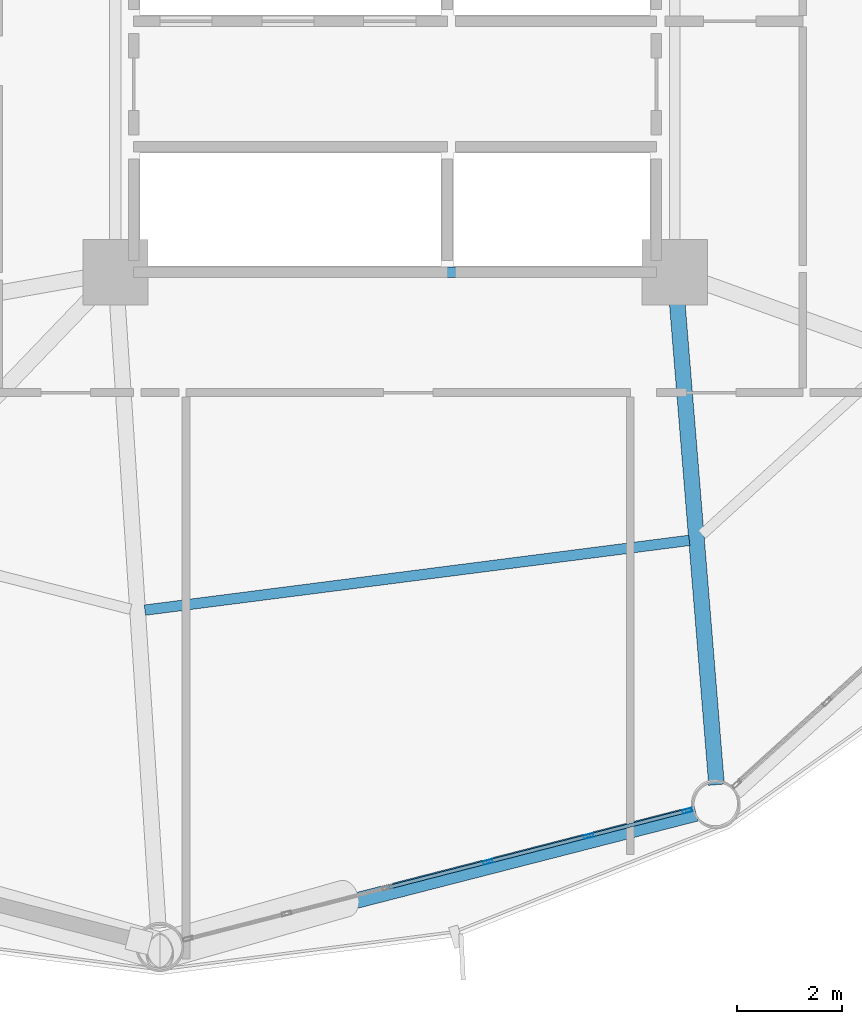
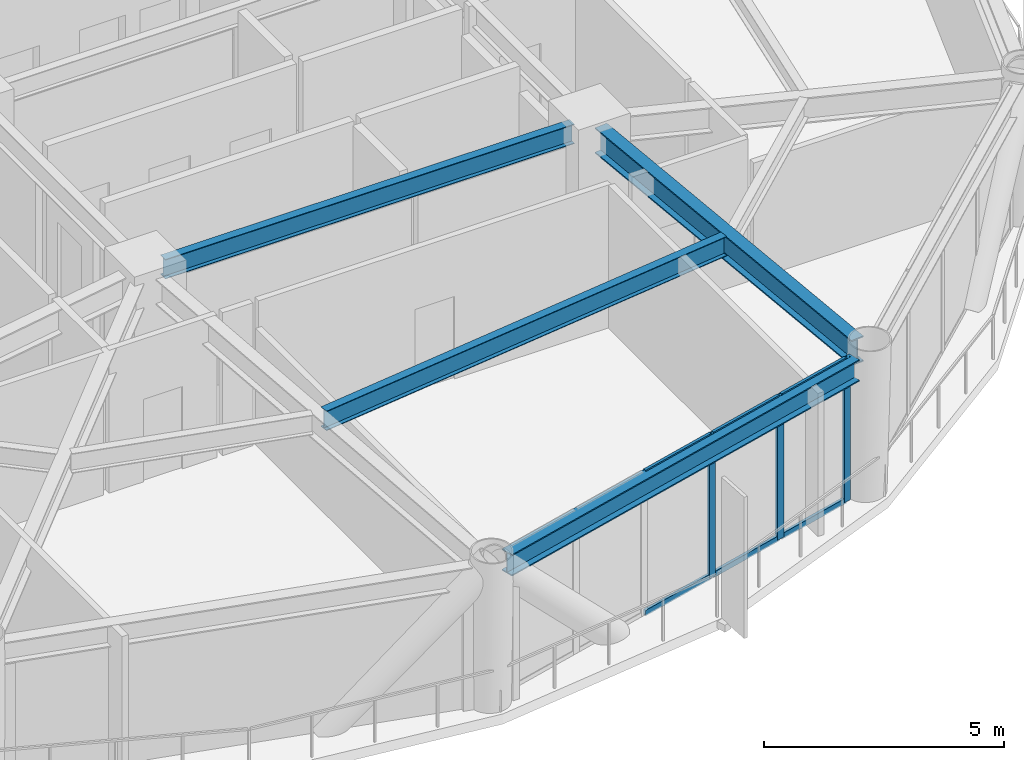
# One storey, part 7 of 25: 9 members, 4 beams, 1 element without a shape of its own.
"""IFC4 building model written with IfcOpenShell, lengths in metres."""

from ifc_helpers import new_model, si_unit, direction, frame, origin, origin_2d, place, context, subcontext, project, spatial, hollow_rectangle, i_section, extrude, material, layer, layer_set, material_profile, profile_set, type_object, element, aggregate, save


model = new_model("IFC4")

# Units and contexts
model_context = context("Model", 3, precision=1e-05, world=origin(), true_north=direction((0.0, 1.0)))
body_context = subcontext(model_context, "Body", "Model", "MODEL_VIEW")
ifc_project = project(units=[si_unit("LENGTHUNIT", "METRE"), si_unit("AREAUNIT", "SQUARE_METRE"), si_unit("VOLUMEUNIT", "CUBIC_METRE"), si_unit("PLANEANGLEUNIT", "RADIAN"), si_unit("MASSUNIT", "GRAM", prefix="KILO")], contexts=[model_context])

# Site, building, storey
site_placement = place(None, origin())
site = spatial("IfcSite", under=ifc_project, at=site_placement, CompositionType="ELEMENT")
building_placement = place(site_placement, origin())
building = spatial("IfcBuilding", under=site, at=building_placement, Name="Varnakorn Sky Granary", CompositionType="ELEMENT")
storey_placement = place(building_placement, frame((0.0, 0.0, 58.800048828125)))
storey = spatial("IfcBuildingStorey", under=building, at=storey_placement, Name="L14", CompositionType="ELEMENT", Elevation=58.800048828125)

# Beams
ifc_material_1 = material(Name="Steel S355JR", Category="steel")
ifc_material_profile_1 = material_profile(ifc_material_1, i_section(OverallWidth=0.300048828125, OverallDepth=0.64990234375, WebThickness=0.01611328125, FlangeThickness=0.031005859375, at=origin_2d()), Name="HE 650 B")
ifc_profile_set_1 = profile_set([ifc_material_profile_1], Name="Steel S355JR")
beam_type_1 = type_object("IfcBeamType", Name="BM-RAD-Z1", PredefinedType="BEAM", material=ifc_profile_set_1)
beam_1_placement = place(storey_placement, frame((8.384033203125, -7.0185546875, 3.31494140625), z_axis=(0.081322054925, -0.996687876611, 0.0), x_axis=(0.996687876611, 0.081322054925, 0.0)))
element("IfcBeam", 1, at=beam_1_placement, inside=storey, type_object=beam_type_1, Name="Radial Floor Girder RG11 L14", PredefinedType="BEAM", context=body_context, shape_type="SweptSolid", body=[
    extrude(i_section(OverallWidth=0.300048828125, OverallDepth=0.64990234375, WebThickness=0.01611328125, FlangeThickness=0.031005859375, at=origin_2d()), origin(), (0.0, 0.0, 1.0), 9.414794921875),
])
ifc_material_profile_2 = material_profile(ifc_material_1, i_section(OverallWidth=0.199951171875, OverallDepth=0.5, WebThickness=0.01025390625, FlangeThickness=0.01611328125, at=origin_2d()), Name="IPE 500")
ifc_profile_set_2 = profile_set([ifc_material_profile_2], Name="Steel S355JR")
beam_type_2 = type_object("IfcBeamType", Name="BM-SEC-Z1", PredefinedType="BEAM", material=ifc_profile_set_2)
beam_2_placement = place(storey_placement, frame((-1.786865234375, -13.062744140625, 3.389892578125), z_axis=(0.991887829843, 0.127116218518, 0.0), x_axis=(-0.127116218518, 0.991887829843, 0.0)))
element("IfcBeam", 2, at=beam_2_placement, inside=storey, type_object=beam_type_2, Name="Secondary Floor Chord Beam MSB10 L14", PredefinedType="BEAM", context=body_context, shape_type="SweptSolid", body=[
    extrude(i_section(OverallWidth=0.199951171875, OverallDepth=0.5, WebThickness=0.01025390625, FlangeThickness=0.01611328125, at=origin_2d()), origin(), (0.0, 0.0, 1.0), 10.5),
])
beam_3_placement = place(storey_placement, frame((-1.929931640625, -6.60009765625, 3.389892578125), z_axis=(1.0, 0.0, 0.0), x_axis=(0.0, 1.0, 0.0)))
element("IfcBeam", 3, at=beam_3_placement, inside=storey, type_object=beam_type_2, Name="Core Spine Framing Beam 6 L14", PredefinedType="BEAM", context=body_context, shape_type="SweptSolid", body=[
    extrude(i_section(OverallWidth=0.199951171875, OverallDepth=0.5, WebThickness=0.01025390625, FlangeThickness=0.01611328125, at=origin_2d()), origin(), (0.0, 0.0, 1.0), 9.85986328125),
])
ifc_material_profile_3 = material_profile(ifc_material_1, i_section(OverallWidth=0.300048828125, OverallDepth=0.550048828125, WebThickness=0.014892578125, FlangeThickness=0.029052734375, at=origin_2d()), Name="HE 550 B")
ifc_profile_set_3 = profile_set([ifc_material_profile_3], Name="Steel S355JR")
beam_type_3 = type_object("IfcBeamType", Name="BM-SPD-Z1", PredefinedType="SPANDREL", material=ifc_profile_set_3)
beam_4_placement = place(storey_placement, frame((-1.072021484375, -19.47314453125, 3.364990234375), z_axis=(0.968654217818, 0.24841297531, 0.0), x_axis=(-0.24841297531, 0.968654217818, 0.0)))
element("IfcBeam", 4, at=beam_4_placement, inside=storey, type_object=beam_type_3, Name="Perimeter Spandrel Ring Beam RB10 L14", PredefinedType="SPANDREL", context=body_context, shape_type="SweptSolid", body=[
    extrude(i_section(OverallWidth=0.300048828125, OverallDepth=0.550048828125, WebThickness=0.014892578125, FlangeThickness=0.029052734375, at=origin_2d()), origin(), (0.0, 0.0, 1.0), 10.1474609375),
])

# Curtain wall, members
ifc_material_2 = material(Name="Anodised Bronze Aluminium Alloy 6063-T6", Category="aluminium")
ifc_layer = layer(ifc_material_2, 0.18994140625, Name="Anodised Bronze Aluminium Alloy 6063-T6")
ifc_layer_set = layer_set([ifc_layer], Name="Anodised Bronze Aluminium Alloy 6063-T6")
curtain_wall_type = type_object("IfcCurtainWallType", Name="CW-FRM-1", PredefinedType="USERDEFINED", material=ifc_layer_set)
curtain_wall_placement = place(storey_placement, origin())
curtain_wall = element("IfcCurtainWall", 5, at=curtain_wall_placement, inside=storey, type_object=curtain_wall_type, Name="Unitised Curtain Wall CW3 CW-L14-B10", ObjectType="CURTAIN WALL", PredefinedType="USERDEFINED")
ifc_material_profile_4 = material_profile(ifc_material_2, hollow_rectangle(XDim=0.070068359375, YDim=0.18505859375, WallThickness=0.00390625, at=origin_2d()), Name="ALU MULL 70x185")
ifc_profile_set_4 = profile_set([ifc_material_profile_4], Name="Anodised Bronze Aluminium Alloy 6063-T6")
member_type_1 = type_object("IfcMemberType", Name="CW-FRM-1-MULL", PredefinedType="MULLION", material=ifc_profile_set_4)
member_1_placement = place(storey_placement, frame((8.591796875, -16.899169921875, 0.0), z_axis=(0.0, 0.0, 1.0), x_axis=(0.248656438193, -0.968591748749, 0.0)))
member_1 = element("IfcMember", 6, at=member_1_placement, type_object=member_type_1, Name="CW3 mullion 1", PredefinedType="MULLION", context=body_context, shape_type="SweptSolid", body=[
    extrude(hollow_rectangle(XDim=0.070068359375, YDim=0.18505859375, WallThickness=0.00390625, at=origin_2d()), origin(), (0.0, 0.0, 1.0), 3.639892578125),
])
member_2_placement = place(storey_placement, frame((6.70068359375, -17.384765625, 0.0), z_axis=(0.0, 0.0, 1.0), x_axis=(0.248656438193, -0.968591748749, 0.0)))
member_2 = element("IfcMember", 7, at=member_2_placement, type_object=member_type_1, Name="CW3 mullion 2", PredefinedType="MULLION", context=body_context, shape_type="SweptSolid", body=[
    extrude(hollow_rectangle(XDim=0.070068359375, YDim=0.18505859375, WallThickness=0.00390625, at=origin_2d()), origin(), (0.0, 0.0, 1.0), 3.639892578125),
])
member_3_placement = place(storey_placement, frame((4.775634765625, -17.87890625, 0.0), z_axis=(0.0, 0.0, 1.0), x_axis=(0.248656438193, -0.968591748749, 0.0)))
member_3 = element("IfcMember", 8, at=member_3_placement, type_object=member_type_1, Name="CW3 mullion 3", PredefinedType="MULLION", context=body_context, shape_type="SweptSolid", body=[
    extrude(hollow_rectangle(XDim=0.070068359375, YDim=0.18505859375, WallThickness=0.00390625, at=origin_2d()), origin(), (0.0, 0.0, 1.0), 3.639892578125),
])
ifc_material_profile_5 = material_profile(ifc_material_2, hollow_rectangle(XDim=0.070068359375, YDim=0.139892578125, WallThickness=0.00341796875, at=origin_2d()), Name="ALU TRAN 70x140")
ifc_profile_set_5 = profile_set([ifc_material_profile_5], Name="Anodised Bronze Aluminium Alloy 6063-T6")
member_type_2 = type_object("IfcMemberType", Name="CW-FRM-1-TRAN", PredefinedType="USERDEFINED", material=ifc_profile_set_5)
member_4_placement = place(storey_placement, frame((8.557861328125, -16.907958984375, 0.034912109375), z_axis=(-0.968597421327, -0.248634340745, 0.0), x_axis=(0.248634340745, -0.968597421327, 0.0)))
member_4 = element("IfcMember", 9, at=member_4_placement, type_object=member_type_2, Name="CW3 transom 1.1", ObjectType="TRANSOM", PredefinedType="USERDEFINED", context=body_context, shape_type="SweptSolid", body=[
    extrude(hollow_rectangle(XDim=0.070068359375, YDim=0.139892578125, WallThickness=0.00341796875, at=origin_2d()), origin(), (0.0, 0.0, 1.0), 1.88232421875),
])
member_5_placement = place(storey_placement, frame((8.557861328125, -16.907958984375, 3.60498046875), z_axis=(-0.968597421327, -0.248634340745, 0.0), x_axis=(0.248634340745, -0.968597421327, 0.0)))
member_5 = element("IfcMember", 10, at=member_5_placement, type_object=member_type_2, Name="CW3 transom 1.2", ObjectType="TRANSOM", PredefinedType="USERDEFINED", context=body_context, shape_type="SweptSolid", body=[
    extrude(hollow_rectangle(XDim=0.070068359375, YDim=0.139892578125, WallThickness=0.00341796875, at=origin_2d()), origin(), (0.0, 0.0, 1.0), 1.88232421875),
])
member_6_placement = place(storey_placement, frame((6.666748046875, -17.393310546875, 0.034912109375), z_axis=(-0.968587627616, -0.248672490697, 0.0), x_axis=(0.248672490697, -0.968587627616, 0.0)))
member_6 = element("IfcMember", 11, at=member_6_placement, type_object=member_type_2, Name="CW3 transom 2.1", ObjectType="TRANSOM", PredefinedType="USERDEFINED", context=body_context, shape_type="SweptSolid", body=[
    extrude(hollow_rectangle(XDim=0.070068359375, YDim=0.139892578125, WallThickness=0.00341796875, at=origin_2d()), origin(), (0.0, 0.0, 1.0), 1.91748046875),
])
member_7_placement = place(storey_placement, frame((6.666748046875, -17.393310546875, 3.60498046875), z_axis=(-0.968587627616, -0.248672490697, 0.0), x_axis=(0.248672490697, -0.968587627616, 0.0)))
member_7 = element("IfcMember", 12, at=member_7_placement, type_object=member_type_2, Name="CW3 transom 2.2", ObjectType="TRANSOM", PredefinedType="USERDEFINED", context=body_context, shape_type="SweptSolid", body=[
    extrude(hollow_rectangle(XDim=0.070068359375, YDim=0.139892578125, WallThickness=0.00341796875, at=origin_2d()), origin(), (0.0, 0.0, 1.0), 1.91748046875),
])
member_8_placement = place(storey_placement, frame((4.741943359375, -17.887451171875, 0.034912109375), z_axis=(-0.968587627616, -0.248672490697, 0.0), x_axis=(0.248672490697, -0.968587627616, 0.0)))
member_8 = element("IfcMember", 13, at=member_8_placement, type_object=member_type_2, Name="CW3 transom 3.1", ObjectType="TRANSOM", PredefinedType="USERDEFINED", context=body_context, shape_type="SweptSolid", body=[
    extrude(hollow_rectangle(XDim=0.070068359375, YDim=0.139892578125, WallThickness=0.00341796875, at=origin_2d()), origin(), (0.0, 0.0, 1.0), 1.91748046875),
])
member_9_placement = place(storey_placement, frame((4.741943359375, -17.887451171875, 3.60498046875), z_axis=(-0.968587627616, -0.248672490697, 0.0), x_axis=(0.248672490697, -0.968587627616, 0.0)))
member_9 = element("IfcMember", 14, at=member_9_placement, type_object=member_type_2, Name="CW3 transom 3.2", ObjectType="TRANSOM", PredefinedType="USERDEFINED", context=body_context, shape_type="SweptSolid", body=[
    extrude(hollow_rectangle(XDim=0.070068359375, YDim=0.139892578125, WallThickness=0.00341796875, at=origin_2d()), origin(), (0.0, 0.0, 1.0), 1.91748046875),
])
aggregate(curtain_wall, [member_1, member_2, member_3, member_4, member_5, member_6, member_7, member_8, member_9])

save(model, "model.ifc")
